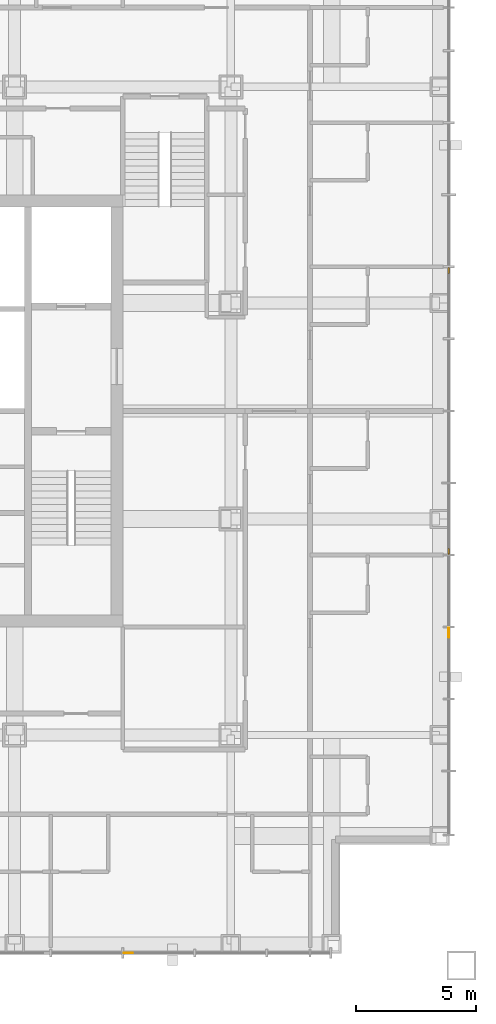
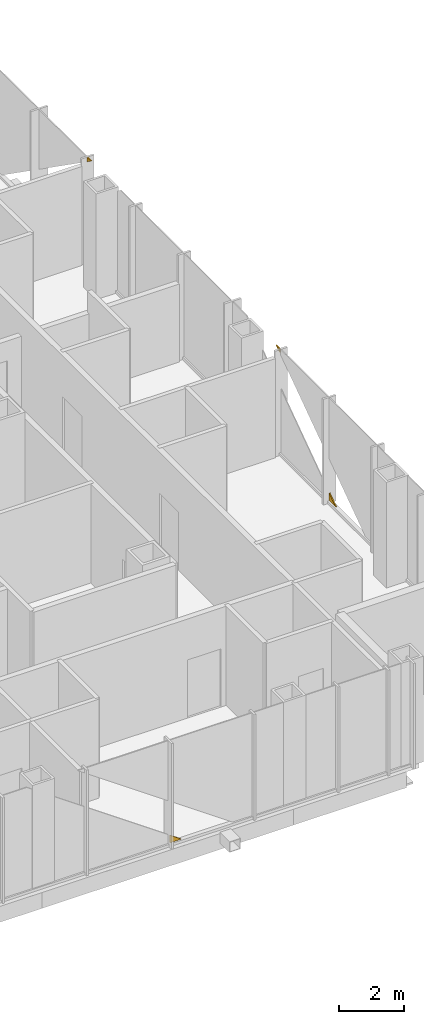
# One storey, part 15 of 17: 4 coverings.
"""IFC4 building model written with IfcOpenShell, lengths in metres."""

from ifc_helpers import new_model, si_unit, direction, frame, origin, place, context, subcontext, project, spatial, polyline, outline, extrude, material, layer, layer_set, type_object, element, save


model = new_model("IFC4")

# Units and contexts
model_context = context("Model", 3, precision=1e-05, world=origin(), true_north=direction((0.0, 1.0)))
body_context = subcontext(model_context, "Body", "Model", "MODEL_VIEW")
ifc_project = project(units=[si_unit("LENGTHUNIT", "METRE"), si_unit("AREAUNIT", "SQUARE_METRE"), si_unit("VOLUMEUNIT", "CUBIC_METRE"), si_unit("PLANEANGLEUNIT", "RADIAN"), si_unit("MASSUNIT", "GRAM", prefix="KILO")], contexts=[model_context])

# Site, building, storey
site_placement = place(None, origin())
site = spatial("IfcSite", under=ifc_project, at=site_placement, CompositionType="ELEMENT")
building_placement = place(site_placement, origin())
building = spatial("IfcBuilding", under=site, at=building_placement, Name="Malebo Sky Hospital", CompositionType="ELEMENT")
storey_placement = place(building_placement, frame((0.0, 0.0, 185.0)))
storey = spatial("IfcBuildingStorey", under=building, at=storey_placement, Name="L44", CompositionType="ELEMENT", Elevation=185.0)

# Coverings
ifc_material = material(Name="Anodised aluminium, natural silver insulated infill panel", Category="aluminium")
ifc_layer = layer(ifc_material, 0.0400390625)
ifc_layer_set = layer_set([ifc_layer], Name="BRACE INFILL PANEL 40")
covering_type = type_object("IfcCoveringType", Name="BRACE INFILL PANEL 40", PredefinedType="CLADDING", material=ifc_layer_set)
covering_1_placement = place(storey_placement, frame((69.240478515625, 39.425048828125, 0.10009765625), z_axis=(0.0, 0.0, 1.0), x_axis=(-1.0, 0.0, 0.0)))
element("IfcCovering", 1, at=covering_1_placement, inside=storey, type_object=covering_type, Name="Brace infill panel 4.1", PredefinedType="CLADDING", context=body_context, shape_type="SweptSolid", body=[
    extrude(outline(polyline([(-0.202880859375, 0.0), (0.202880859375, 0.0), (0.202880859375, 0.284912109375), (-0.202880859375, 0.0)])), frame((0.0, 0.02001953125, 0.0), z_axis=(0.0, -1.0, 0.0), x_axis=(1.0, 0.0, 0.0)), (0.0, 0.0, 1.0), 0.0400390625),
])
covering_2_placement = place(storey_placement, frame((82.574951171875, 67.847900390625, 3.8291015625), z_axis=(0.0, 0.0, 1.0), x_axis=(0.0, -1.0, 0.0)))
element("IfcCovering", 2, at=covering_2_placement, inside=storey, type_object=covering_type, Name="Brace infill panel 6.1", PredefinedType="CLADDING", context=body_context, shape_type="SweptSolid", body=[
    extrude(outline(polyline([(-0.114501953125, 0.0), (0.114501953125, 0.160888671875), (-0.114501953125, 0.160888671875), (-0.114501953125, 0.0)])), frame((0.0, 0.02001953125, 0.0), z_axis=(0.0, -1.0, 0.0), x_axis=(1.0, 0.0, 0.0)), (0.0, 0.0, 1.0), 0.0400390625),
])
covering_3_placement = place(storey_placement, frame((82.574951171875, 56.152099609375, 3.8291015625), z_axis=(0.0, 0.0, 1.0), x_axis=(0.0, -1.0, 0.0)))
element("IfcCovering", 3, at=covering_3_placement, inside=storey, type_object=covering_type, Name="Brace infill panel 9.1", PredefinedType="CLADDING", context=body_context, shape_type="SweptSolid", body=[
    extrude(outline(polyline([(0.114501953125, 0.0), (0.114501953125, 0.160888671875), (-0.114501953125, 0.160888671875), (0.114501953125, 0.0)])), frame((0.0, 0.02001953125, 0.0), z_axis=(0.0, -1.0, 0.0), x_axis=(1.0, 0.0, 0.0)), (0.0, 0.0, 1.0), 0.0400390625),
])
covering_4_placement = place(storey_placement, frame((82.574951171875, 52.759521484375, 0.10009765625), z_axis=(0.0, 0.0, 1.0), x_axis=(0.0, -1.0, 0.0)))
element("IfcCovering", 4, at=covering_4_placement, inside=storey, type_object=covering_type, Name="Brace infill panel 11.1", PredefinedType="CLADDING", context=body_context, shape_type="SweptSolid", body=[
    extrude(outline(polyline([(-0.202880859375, 0.0), (0.202880859375, 0.0), (-0.202880859375, 0.284912109375), (-0.202880859375, 0.0)])), frame((0.0, 0.02001953125, 0.0), z_axis=(0.0, -1.0, 0.0), x_axis=(1.0, 0.0, 0.0)), (0.0, 0.0, 1.0), 0.0400390625),
])

save(model, "model.ifc")
